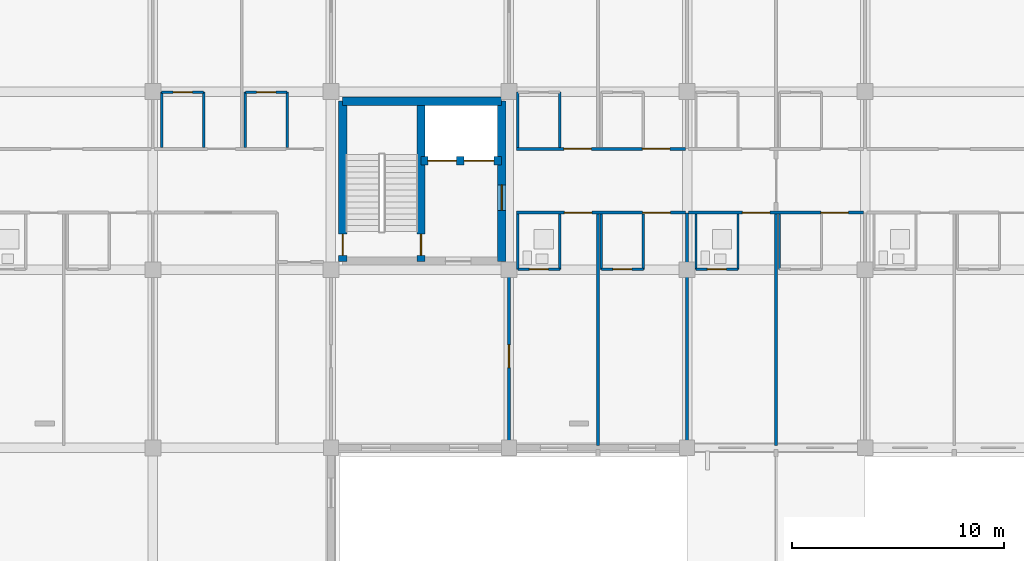
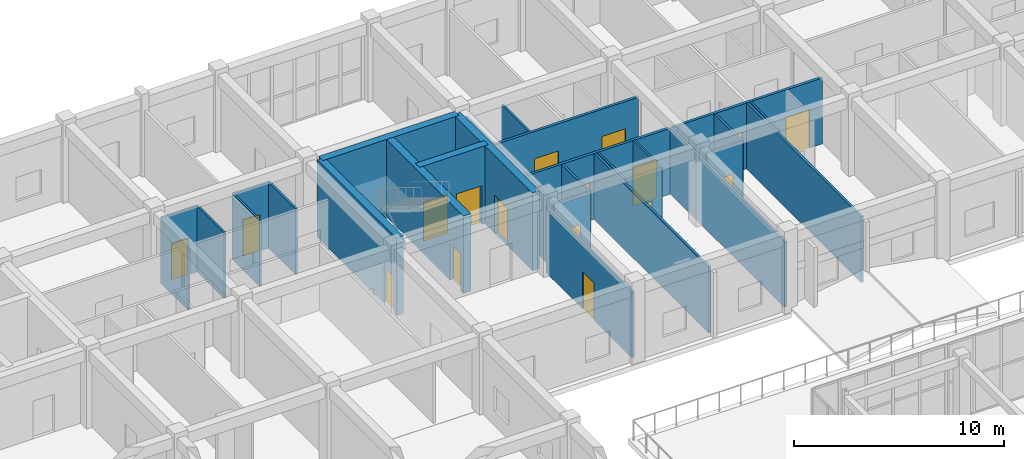
# One storey, part 128 of 158: 30 walls, 17 doors, 17 openings.
"""IFC4 building model written with IfcOpenShell, lengths in metres."""

from ifc_helpers import new_model, si_unit, direction, frame, frame_2d, origin, place, context, subcontext, project, spatial, rectangle, extrude, material, layer, layer_set, type_object, element, fill, save


model = new_model("IFC4")

# Units and contexts
model_context = context("Model", 3, precision=1e-05, world=origin(), true_north=direction((0.0, 1.0)))
body_context = subcontext(model_context, "Body", "Model", "MODEL_VIEW")
ifc_project = project(units=[si_unit("LENGTHUNIT", "METRE"), si_unit("AREAUNIT", "SQUARE_METRE"), si_unit("VOLUMEUNIT", "CUBIC_METRE"), si_unit("PLANEANGLEUNIT", "RADIAN"), si_unit("MASSUNIT", "GRAM", prefix="KILO")], contexts=[model_context])

# Site, building, storey
site_placement = place(None, origin())
site = spatial("IfcSite", under=ifc_project, at=site_placement, CompositionType="ELEMENT")
building_placement = place(site_placement, origin())
building = spatial("IfcBuilding", under=site, at=building_placement, Name="Trelvath General Hospital", CompositionType="ELEMENT")
storey_placement = place(building_placement, frame((0.0, 0.0, 8.10009765625)))
storey = spatial("IfcBuildingStorey", under=building, at=storey_placement, Name="L02", CompositionType="ELEMENT", Elevation=8.10009765625)

# Wall, openings, doors
ifc_material_1 = material(Name="Gypsum acoustic steel-stud partition", Category="steel")
ifc_layer_1 = layer(ifc_material_1, 0.14990234375)
ifc_layer_set_1 = layer_set([ifc_layer_1], Name="Gypsum acoustic steel-stud partition")
wall_type_1 = type_object("IfcWallType", Name="ClinicalPartition 150", PredefinedType="PARTITIONING", material=ifc_layer_set_1)
wall_1_placement = place(storey_placement, frame((50.760009765625, 103.5, 0.0), z_axis=(0.0, 0.0, 1.0), x_axis=(1.0, 0.0, 0.0)))
wall_1 = element("IfcWall", 1, at=wall_1_placement, inside=storey, type_object=wall_type_1, Name="Corridor Partition L02-885", PredefinedType="PARTITIONING", context=body_context, shape_type="SweptSolid", body=[
    extrude(rectangle(XDim=7.9599609375, YDim=0.14990234375, at=frame_2d((3.97998046875, 0.0))), origin(), (0.0, 0.0, 1.0), 3.83984375),
])
opening_1_placement = place(wall_1_placement, frame((2.25, 0.0, 0.0)))
opening_1 = element("IfcOpeningElement", 2, at=opening_1_placement, cuts=wall_1, Name="Opening D-2-0730", PredefinedType="OPENING", context=body_context, shape_type="SweptSolid", body=[
    extrude(rectangle(XDim=1.300048828125, YDim=2.25, at=frame_2d((0.64990234375, 1.125))), frame((0.0, 0.0849609375, 0.0), z_axis=(0.0, -1.0, 0.0), x_axis=(1.0, 0.0, 0.0)), (0.0, 0.0, 1.0), 0.169921875),
])
opening_2_placement = place(wall_1_placement, frame((5.949951171875, 0.0, 0.0)))
opening_2 = element("IfcOpeningElement", 3, at=opening_2_placement, cuts=wall_1, Name="Opening D-2-0731", PredefinedType="OPENING", context=body_context, shape_type="SweptSolid", body=[
    extrude(rectangle(XDim=1.300048828125, YDim=2.25, at=frame_2d((0.64990234375, 1.125))), frame((0.0, 0.0849609375, 0.0), z_axis=(0.0, -1.0, 0.0), x_axis=(1.0, 0.0, 0.0)), (0.0, 0.0, 1.0), 0.169921875),
])
ifc_material_2 = material(Name="Hospital bed-leaf timber door", Category="wood")
door_type_1 = type_object("IfcDoorType", Name="Door PatientBed 1300x2250", OperationType="NOTDEFINED", PredefinedType="DOOR", material=ifc_material_2)
door_1_placement = place(opening_1_placement, origin())
door_1 = element("IfcDoor", 4, at=door_1_placement, inside=storey, type_object=door_type_1, Name="Patient Room Door L02-730", OperationType="SINGLE_SWING_LEFT", OverallHeight=2.25, OverallWidth=1.300048828125, PredefinedType="DOOR", context=body_context, shape_type="SweptSolid", body=[
    extrude(rectangle(XDim=1.300048828125, YDim=2.25, at=frame_2d((0.64990234375, 1.125))), frame((0.0, 0.02490234375, 0.0), z_axis=(0.0, -1.0, 0.0), x_axis=(1.0, 0.0, 0.0)), (0.0, 0.0, 1.0), 0.050048828125),
])
fill(opening_1, door_1)
door_2_placement = place(opening_2_placement, origin())
door_2 = element("IfcDoor", 5, at=door_2_placement, inside=storey, type_object=door_type_1, Name="Patient Room Door L02-731", OperationType="SINGLE_SWING_RIGHT", OverallHeight=2.25, OverallWidth=1.300048828125, PredefinedType="DOOR", context=body_context, shape_type="SweptSolid", body=[
    extrude(rectangle(XDim=1.300048828125, YDim=2.25, at=frame_2d((0.64990234375, 1.125))), frame((0.0, 0.02490234375, 0.0), z_axis=(0.0, -1.0, 0.0), x_axis=(1.0, 0.0, 0.0)), (0.0, 0.0, 1.0), 0.050048828125),
])
fill(opening_2, door_2)

wall_2_placement = place(storey_placement, frame((58.719970703125, 106.5, 0.0), z_axis=(0.0, 0.0, 1.0), x_axis=(-1.0, 0.0, 0.0)))
wall_2 = element("IfcWall", 6, at=wall_2_placement, inside=storey, type_object=wall_type_1, Name="Corridor Partition N L02-894", PredefinedType="PARTITIONING", context=body_context, shape_type="SweptSolid", body=[
    extrude(rectangle(XDim=7.9599609375, YDim=0.14990234375, at=frame_2d((3.97998046875, 0.0))), origin(), (0.0, 0.0, 1.0), 3.83984375),
])
opening_3_placement = place(wall_2_placement, frame((0.72998046875, 0.0, 0.0)))
opening_3 = element("IfcOpeningElement", 7, at=opening_3_placement, cuts=wall_2, Name="Opening D-2-0734", PredefinedType="OPENING", context=body_context, shape_type="SweptSolid", body=[
    extrude(rectangle(XDim=1.300048828125, YDim=2.25, at=frame_2d((0.64990234375, 1.125))), frame((0.0, 0.0849609375, 0.0), z_axis=(0.0, -1.0, 0.0), x_axis=(1.0, 0.0, 0.0)), (0.0, 0.0, 1.0), 0.169921875),
])
opening_4_placement = place(wall_2_placement, frame((4.429931640625, 0.0, 0.0)))
opening_4 = element("IfcOpeningElement", 8, at=opening_4_placement, cuts=wall_2, Name="Opening D-2-0735", PredefinedType="OPENING", context=body_context, shape_type="SweptSolid", body=[
    extrude(rectangle(XDim=1.300048828125, YDim=2.25, at=frame_2d((0.64990234375, 1.125))), frame((0.0, 0.0849609375, 0.0), z_axis=(0.0, -1.0, 0.0), x_axis=(1.0, 0.0, 0.0)), (0.0, 0.0, 1.0), 0.169921875),
])
door_3_placement = place(opening_3_placement, origin())
door_3 = element("IfcDoor", 9, at=door_3_placement, inside=storey, type_object=door_type_1, Name="Patient Room Door N L02-734", OperationType="SINGLE_SWING_LEFT", OverallHeight=2.25, OverallWidth=1.300048828125, PredefinedType="DOOR", context=body_context, shape_type="SweptSolid", body=[
    extrude(rectangle(XDim=1.300048828125, YDim=2.25, at=frame_2d((0.64990234375, 1.125))), frame((0.0, 0.02490234375, 0.0), z_axis=(0.0, -1.0, 0.0), x_axis=(1.0, 0.0, 0.0)), (0.0, 0.0, 1.0), 0.050048828125),
])
fill(opening_3, door_3)
door_4_placement = place(opening_4_placement, origin())
door_4 = element("IfcDoor", 10, at=door_4_placement, inside=storey, type_object=door_type_1, Name="Patient Room Door N L02-735", OperationType="SINGLE_SWING_LEFT", OverallHeight=2.25, OverallWidth=1.300048828125, PredefinedType="DOOR", context=body_context, shape_type="SweptSolid", body=[
    extrude(rectangle(XDim=1.300048828125, YDim=2.25, at=frame_2d((0.64990234375, 1.125))), frame((0.0, 0.02490234375, 0.0), z_axis=(0.0, -1.0, 0.0), x_axis=(1.0, 0.0, 0.0)), (0.0, 0.0, 1.0), 0.050048828125),
])
fill(opening_4, door_4)

wall_3_placement = place(storey_placement, frame((58.8798828125, 103.5, 0.0), z_axis=(0.0, 0.0, 1.0), x_axis=(1.0, 0.0, 0.0)))
wall_3 = element("IfcWall", 11, at=wall_3_placement, inside=storey, type_object=wall_type_1, Name="Corridor Partition L02-904", PredefinedType="PARTITIONING", context=body_context, shape_type="SweptSolid", body=[
    extrude(rectangle(XDim=8.240234375, YDim=0.14990234375, at=frame_2d((4.1201171875, 0.0))), origin(), (0.0, 0.0, 1.0), 3.83984375),
])
opening_5_placement = place(wall_3_placement, frame((2.530029296875, 0.0, 0.0)))
opening_5 = element("IfcOpeningElement", 12, at=opening_5_placement, cuts=wall_3, Name="Opening D-2-0738", PredefinedType="OPENING", context=body_context, shape_type="SweptSolid", body=[
    extrude(rectangle(XDim=1.300048828125, YDim=2.25, at=frame_2d((0.64990234375, 1.125))), frame((0.0, 0.0849609375, 0.0), z_axis=(0.0, -1.0, 0.0), x_axis=(1.0, 0.0, 0.0)), (0.0, 0.0, 1.0), 0.169921875),
])
opening_6_placement = place(wall_3_placement, frame((6.22998046875, 0.0, 0.0)))
opening_6 = element("IfcOpeningElement", 13, at=opening_6_placement, cuts=wall_3, Name="Opening D-2-0739", PredefinedType="OPENING", context=body_context, shape_type="SweptSolid", body=[
    extrude(rectangle(XDim=1.300048828125, YDim=2.25, at=frame_2d((0.64990234375, 1.125))), frame((0.0, 0.0849609375, 0.0), z_axis=(0.0, -1.0, 0.0), x_axis=(1.0, 0.0, 0.0)), (0.0, 0.0, 1.0), 0.169921875),
])
door_5_placement = place(opening_5_placement, origin())
door_5 = element("IfcDoor", 14, at=door_5_placement, inside=storey, type_object=door_type_1, Name="Patient Room Door L02-738", OperationType="SINGLE_SWING_RIGHT", OverallHeight=2.25, OverallWidth=1.300048828125, PredefinedType="DOOR", context=body_context, shape_type="SweptSolid", body=[
    extrude(rectangle(XDim=1.300048828125, YDim=2.25, at=frame_2d((0.64990234375, 1.125))), frame((0.0, 0.02490234375, 0.0), z_axis=(0.0, -1.0, 0.0), x_axis=(1.0, 0.0, 0.0)), (0.0, 0.0, 1.0), 0.050048828125),
])
fill(opening_5, door_5)
door_6_placement = place(opening_6_placement, origin())
door_6 = element("IfcDoor", 15, at=door_6_placement, inside=storey, type_object=door_type_1, Name="Patient Room Door L02-739", OperationType="SINGLE_SWING_LEFT", OverallHeight=2.25, OverallWidth=1.300048828125, PredefinedType="DOOR", context=body_context, shape_type="SweptSolid", body=[
    extrude(rectangle(XDim=1.300048828125, YDim=2.25, at=frame_2d((0.64990234375, 1.125))), frame((0.0, 0.02490234375, 0.0), z_axis=(0.0, -1.0, 0.0), x_axis=(1.0, 0.0, 0.0)), (0.0, 0.0, 1.0), 0.050048828125),
])
fill(opening_6, door_6)

# Wall
ifc_material_3 = material(Name="Concrete C40/50", Category="concrete")
ifc_layer_2 = layer(ifc_material_3, 0.39990234375)
ifc_layer_set_2 = layer_set([ifc_layer_2], Name="Concrete C40/50")
wall_type_2 = type_object("IfcWallType", Name="CoreShearWall 400", PredefinedType="SHEAR", material=ifc_layer_set_2)
wall_4_placement = place(storey_placement, frame((42.550048828125, 108.75, 0.0), z_axis=(0.0, 0.0, 1.0), x_axis=(1.0, 0.0, 0.0)))
element("IfcWall", 16, at=wall_4_placement, inside=storey, type_object=wall_type_2, Name="Core Shear Wall C1 N L02", PredefinedType="SHEAR", context=body_context, shape_type="SweptSolid", body=[
    extrude(rectangle(XDim=7.5, YDim=0.39990234375, at=frame_2d((3.75, 0.0))), origin(), (0.0, 0.0, 1.0), 4.52001953125),
])

# Wall, opening, door
wall_5_placement = place(storey_placement, frame((42.550048828125, 101.199951171875, 0.0), z_axis=(0.0, 0.0, 1.0), x_axis=(0.0, 1.0, 0.0)))
wall_5 = element("IfcWall", 17, at=wall_5_placement, inside=storey, type_object=wall_type_2, Name="Core Shear Wall C1 W L02", PredefinedType="SHEAR", context=body_context, shape_type="SweptSolid", body=[
    extrude(rectangle(XDim=7.550048828125, YDim=0.39990234375, at=frame_2d((3.77490234375, 0.0))), origin(), (0.0, 0.0, 1.0), 4.52001953125),
])
opening_7_placement = place(wall_5_placement, frame((0.280029296875, 0.0, 0.0)))
opening_7 = element("IfcOpeningElement", 18, at=opening_7_placement, cuts=wall_5, Name="Opening FD-SW12", PredefinedType="OPENING", context=body_context, shape_type="SweptSolid", body=[
    extrude(rectangle(XDim=1.0, YDim=2.14990234375, at=frame_2d((0.5, 1.074951171875))), frame((0.0, 0.2099609375, 0.0), z_axis=(0.0, -1.0, 0.0), x_axis=(1.0, 0.0, 0.0)), (0.0, 0.0, 1.0), 0.419921875),
])
ifc_material_4 = material(Name="Fire-rated steel door", Category="steel")
door_type_2 = type_object("IfcDoorType", Name="Door FireStair 1100x2150", OperationType="NOTDEFINED", PredefinedType="DOOR", material=ifc_material_4)
door_7_placement = place(opening_7_placement, origin())
door_7 = element("IfcDoor", 19, at=door_7_placement, inside=storey, type_object=door_type_2, Name="West Corridor Stair Door ST1 L02", OperationType="SINGLE_SWING_LEFT", OverallHeight=2.14990234375, OverallWidth=1.0, PredefinedType="DOOR", context=body_context, shape_type="SweptSolid", body=[
    extrude(rectangle(XDim=1.0, YDim=2.14990234375, at=frame_2d((0.5, 1.074951171875))), frame((0.0, 0.02490234375, 0.0), z_axis=(0.0, -1.0, 0.0), x_axis=(1.0, 0.0, 0.0)), (0.0, 0.0, 1.0), 0.050048828125),
])
fill(opening_7, door_7)

wall_6_placement = place(storey_placement, frame((50.050048828125, 101.199951171875, 0.0), z_axis=(0.0, 0.0, 1.0), x_axis=(0.0, 1.0, 0.0)))
wall_6 = element("IfcWall", 20, at=wall_6_placement, inside=storey, type_object=wall_type_2, Name="Core Shear Wall C1 E L02", PredefinedType="SHEAR", context=body_context, shape_type="SweptSolid", body=[
    extrude(rectangle(XDim=7.550048828125, YDim=0.39990234375, at=frame_2d((3.77490234375, 0.0))), origin(), (0.0, 0.0, 1.0), 4.52001953125),
])
opening_8_placement = place(wall_6_placement, frame((2.39990234375, 0.0, 0.0)))
opening_8 = element("IfcOpeningElement", 21, at=opening_8_placement, cuts=wall_6, Name="Opening FD-LE12", PredefinedType="OPENING", context=body_context, shape_type="SweptSolid", body=[
    extrude(rectangle(XDim=1.199951171875, YDim=2.199951171875, at=frame_2d((0.60009765625, 1.10009765625))), frame((0.0, 0.2099609375, 0.0), z_axis=(0.0, -1.0, 0.0), x_axis=(1.0, 0.0, 0.0)), (0.0, 0.0, 1.0), 0.419921875),
])
ifc_material_5 = material(Name="Fire-rated steel door", Category="steel")
door_type_3 = type_object("IfcDoorType", Name="Door FireLobby 1200x2200", OperationType="NOTDEFINED", PredefinedType="DOOR", material=ifc_material_5)
door_8_placement = place(opening_8_placement, origin())
door_8 = element("IfcDoor", 22, at=door_8_placement, inside=storey, type_object=door_type_3, Name="Fire Lobby East Corridor Door C1 L02", OperationType="SINGLE_SWING_LEFT", OverallHeight=2.199951171875, OverallWidth=1.199951171875, PredefinedType="DOOR", context=body_context, shape_type="SweptSolid", body=[
    extrude(rectangle(XDim=1.199951171875, YDim=2.199951171875, at=frame_2d((0.60009765625, 1.10009765625))), frame((0.0, 0.02490234375, 0.0), z_axis=(0.0, -1.0, 0.0), x_axis=(1.0, 0.0, 0.0)), (0.0, 0.0, 1.0), 0.050048828125),
])
fill(opening_8, door_8)

wall_7_placement = place(storey_placement, frame((46.25, 101.199951171875, 0.0), z_axis=(0.0, 0.0, 1.0), x_axis=(0.0, 1.0, 0.0)))
wall_7 = element("IfcWall", 23, at=wall_7_placement, inside=storey, type_object=wall_type_2, Name="Core Shear Wall C1 SPINE L02", PredefinedType="SHEAR", context=body_context, shape_type="SweptSolid", body=[
    extrude(rectangle(XDim=7.550048828125, YDim=0.39990234375, at=frame_2d((3.77490234375, 0.0))), origin(), (0.0, 0.0, 1.0), 4.52001953125),
])
opening_9_placement = place(wall_7_placement, frame((0.280029296875, 0.0, 0.0)))
opening_9 = element("IfcOpeningElement", 24, at=opening_9_placement, cuts=wall_7, Name="Opening FD-S12", PredefinedType="OPENING", context=body_context, shape_type="SweptSolid", body=[
    extrude(rectangle(XDim=1.0, YDim=2.14990234375, at=frame_2d((0.5, 1.074951171875))), frame((0.0, 0.2099609375, 0.0), z_axis=(0.0, -1.0, 0.0), x_axis=(1.0, 0.0, 0.0)), (0.0, 0.0, 1.0), 0.419921875),
])
door_9_placement = place(opening_9_placement, origin())
door_9 = element("IfcDoor", 25, at=door_9_placement, inside=storey, type_object=door_type_2, Name="Exit Stair Door ST1 L02", OperationType="SINGLE_SWING_RIGHT", OverallHeight=2.14990234375, OverallWidth=1.0, PredefinedType="DOOR", context=body_context, shape_type="SweptSolid", body=[
    extrude(rectangle(XDim=1.0, YDim=2.14990234375, at=frame_2d((0.5, 1.074951171875))), frame((0.0, 0.02490234375, 0.0), z_axis=(0.0, -1.0, 0.0), x_axis=(1.0, 0.0, 0.0)), (0.0, 0.0, 1.0), 0.050048828125),
])
fill(opening_9, door_9)

# Wall, openings, doors
wall_8_placement = place(storey_placement, frame((46.25, 105.949951171875, 0.0), z_axis=(0.0, 0.0, 1.0), x_axis=(1.0, 0.0, 0.0)))
wall_8 = element("IfcWall", 26, at=wall_8_placement, inside=storey, type_object=wall_type_2, Name="Core Shear Wall C1 SHAFT L02", PredefinedType="SHEAR", context=body_context, shape_type="SweptSolid", body=[
    extrude(rectangle(XDim=3.800048828125, YDim=0.39990234375, at=frame_2d((1.89990234375, 0.0))), origin(), (0.0, 0.0, 1.0), 4.52001953125),
])
opening_10_placement = place(wall_8_placement, frame((0.320068359375, 0.0, 0.0)))
opening_10 = element("IfcOpeningElement", 27, at=opening_10_placement, cuts=wall_8, Name="Opening LD-FF1-2", PredefinedType="OPENING", context=body_context, shape_type="SweptSolid", body=[
    extrude(rectangle(XDim=1.35009765625, YDim=2.25, at=frame_2d((0.675048828125, 1.125))), frame((0.0, 0.2099609375, 0.0), z_axis=(0.0, -1.0, 0.0), x_axis=(1.0, 0.0, 0.0)), (0.0, 0.0, 1.0), 0.419921875),
])
opening_11_placement = place(wall_8_placement, frame((2.0400390625, 0.0, 0.0)))
opening_11 = element("IfcOpeningElement", 28, at=opening_11_placement, cuts=wall_8, Name="Opening LD-BD1-2", PredefinedType="OPENING", context=body_context, shape_type="SweptSolid", body=[
    extrude(rectangle(XDim=1.39990234375, YDim=2.25, at=frame_2d((0.699951171875, 1.125))), frame((0.0, 0.2099609375, 0.0), z_axis=(0.0, -1.0, 0.0), x_axis=(1.0, 0.0, 0.0)), (0.0, 0.0, 1.0), 0.419921875),
])
ifc_material_6 = material(Name="Stainless steel stretcher lift landing door", Category="steel")
door_type_4 = type_object("IfcDoorType", Name="Door LiftBed 1400x2250", OperationType="SLIDING_TO_LEFT", PredefinedType="DOOR", material=ifc_material_6)
door_10_placement = place(opening_11_placement, origin())
door_10 = element("IfcDoor", 29, at=door_10_placement, inside=storey, type_object=door_type_4, Name="Lift Landing Sliding Door LF-BD1 L02", OperationType="SLIDING_TO_LEFT", OverallHeight=2.25, OverallWidth=1.39990234375, PredefinedType="DOOR", context=body_context, shape_type="SweptSolid", body=[
    extrude(rectangle(XDim=1.39990234375, YDim=2.25, at=frame_2d((0.699951171875, 1.125))), frame((0.0, 0.02490234375, 0.0), z_axis=(0.0, -1.0, 0.0), x_axis=(1.0, 0.0, 0.0)), (0.0, 0.0, 1.0), 0.050048828125),
])
fill(opening_11, door_10)
ifc_material_7 = material(Name="Fire-rated stainless lift landing door")
door_type_5 = type_object("IfcDoorType", Name="Door LiftFire 1350x2250", OperationType="SLIDING_TO_LEFT", PredefinedType="DOOR", material=ifc_material_7)
door_11_placement = place(opening_10_placement, origin())
door_11 = element("IfcDoor", 30, at=door_11_placement, inside=storey, type_object=door_type_5, Name="Lift Landing Sliding Door LF-FF1 L02", OperationType="SLIDING_TO_LEFT", OverallHeight=2.25, OverallWidth=1.35009765625, PredefinedType="DOOR", context=body_context, shape_type="SweptSolid", body=[
    extrude(rectangle(XDim=1.35009765625, YDim=2.25, at=frame_2d((0.675048828125, 1.125))), frame((0.0, 0.02490234375, 0.0), z_axis=(0.0, -1.0, 0.0), x_axis=(1.0, 0.0, 0.0)), (0.0, 0.0, 1.0), 0.050048828125),
])
fill(opening_10, door_11)

# Walls
ifc_material_8 = material(Name="Moisture-resistant tile partition")
ifc_layer_3 = layer(ifc_material_8, 0.110107421875)
ifc_layer_set_3 = layer_set([ifc_layer_3], Name="Moisture-resistant tile partition")
wall_type_3 = type_object("IfcWallType", Name="EnSuiteWetWall 110", PredefinedType="PARTITIONING", material=ifc_layer_set_3)
for number, where, z_axis, x_axis, name in (
    (31, (34.02001953125, 106.570068359375, 0.0), (0.0, 0.0, 1.0), (0.0, 1.0, 0.0), "En-Suite W Wall N L02-875"),
    (32, (36.0, 106.570068359375, 0.0), (0.0, 0.0, 1.0), (0.0, 1.0, 0.0), "En-Suite E Wall N L02-876"),
):
    element("IfcWall", number, at=place(storey_placement, frame(where, z_axis=z_axis, x_axis=x_axis)), inside=storey, type_object=wall_type_3, Name=name, PredefinedType="PARTITIONING", context=body_context, shape_type="SweptSolid", body=[
        extrude(rectangle(XDim=2.60986328125, YDim=0.110107421875, at=frame_2d((1.304931640625, 0.0))), origin(), (0.0, 0.0, 1.0), 3.83984375),
    ])

# Wall, opening, door
wall_9_placement = place(storey_placement, frame((34.02001953125, 109.179931640625, 0.0), z_axis=(0.0, 0.0, 1.0), x_axis=(1.0, 0.0, 0.0)))
wall_9 = element("IfcWall", 33, at=wall_9_placement, inside=storey, type_object=wall_type_3, Name="En-Suite Bathroom N Partition L02-877", PredefinedType="PARTITIONING", context=body_context, shape_type="SweptSolid", body=[
    extrude(rectangle(XDim=1.97998046875, YDim=0.110107421875, at=frame_2d((0.989990234375, 0.0))), origin(), (0.0, 0.0, 1.0), 3.83984375),
])
opening_12_placement = place(wall_9_placement, frame((0.5400390625, 0.0, 0.0)))
opening_12 = element("IfcOpeningElement", 34, at=opening_12_placement, cuts=wall_9, Name="Opening D-2-0724", PredefinedType="OPENING", context=body_context, shape_type="SweptSolid", body=[
    extrude(rectangle(XDim=0.89990234375, YDim=2.10009765625, at=frame_2d((0.449951171875, 1.050048828125))), frame((0.0, 0.06494140625, 0.0), z_axis=(0.0, -1.0, 0.0), x_axis=(1.0, 0.0, 0.0)), (0.0, 0.0, 1.0), 0.130126953125),
])
ifc_material_9 = material(Name="Moisture-sealed timber leaf", Category="wood")
door_type_6 = type_object("IfcDoorType", Name="Door EnSuite 900x2100", OperationType="NOTDEFINED", PredefinedType="DOOR", material=ifc_material_9)
door_12_placement = place(opening_12_placement, origin())
door_12 = element("IfcDoor", 35, at=door_12_placement, inside=storey, type_object=door_type_6, Name="En-Suite Bathroom N Door L02-724", OperationType="SINGLE_SWING_LEFT", OverallHeight=2.10009765625, OverallWidth=0.89990234375, PredefinedType="DOOR", context=body_context, shape_type="SweptSolid", body=[
    extrude(rectangle(XDim=0.89990234375, YDim=2.10009765625, at=frame_2d((0.449951171875, 1.050048828125))), frame((0.0, 0.02490234375, 0.0), z_axis=(0.0, -1.0, 0.0), x_axis=(1.0, 0.0, 0.0)), (0.0, 0.0, 1.0), 0.050048828125),
])
fill(opening_12, door_12)

# Walls
for number, where, z_axis, x_axis, name in (
    (36, (37.9599609375, 106.570068359375, 0.0), (0.0, 0.0, 1.0), (0.0, 1.0, 0.0), "En-Suite W Wall N L02-878"),
    (37, (39.93994140625, 106.570068359375, 0.0), (0.0, 0.0, 1.0), (0.0, 1.0, 0.0), "En-Suite E Wall N L02-879"),
):
    element("IfcWall", number, at=place(storey_placement, frame(where, z_axis=z_axis, x_axis=x_axis)), inside=storey, type_object=wall_type_3, Name=name, PredefinedType="PARTITIONING", context=body_context, shape_type="SweptSolid", body=[
        extrude(rectangle(XDim=2.60986328125, YDim=0.110107421875, at=frame_2d((1.304931640625, 0.0))), origin(), (0.0, 0.0, 1.0), 3.83984375),
    ])

# Wall, opening, door
wall_10_placement = place(storey_placement, frame((37.9599609375, 109.179931640625, 0.0), z_axis=(0.0, 0.0, 1.0), x_axis=(1.0, 0.0, 0.0)))
wall_10 = element("IfcWall", 38, at=wall_10_placement, inside=storey, type_object=wall_type_3, Name="En-Suite Bathroom N Partition L02-880", PredefinedType="PARTITIONING", context=body_context, shape_type="SweptSolid", body=[
    extrude(rectangle(XDim=1.97998046875, YDim=0.110107421875, at=frame_2d((0.989990234375, 0.0))), origin(), (0.0, 0.0, 1.0), 3.83984375),
])
opening_13_placement = place(wall_10_placement, frame((0.5400390625, 0.0, 0.0)))
opening_13 = element("IfcOpeningElement", 39, at=opening_13_placement, cuts=wall_10, Name="Opening D-2-0725", PredefinedType="OPENING", context=body_context, shape_type="SweptSolid", body=[
    extrude(rectangle(XDim=0.89990234375, YDim=2.10009765625, at=frame_2d((0.449951171875, 1.050048828125))), frame((0.0, 0.06494140625, 0.0), z_axis=(0.0, -1.0, 0.0), x_axis=(1.0, 0.0, 0.0)), (0.0, 0.0, 1.0), 0.130126953125),
])
door_13_placement = place(opening_13_placement, origin())
door_13 = element("IfcDoor", 40, at=door_13_placement, inside=storey, type_object=door_type_6, Name="En-Suite Bathroom N Door L02-725", OperationType="SINGLE_SWING_RIGHT", OverallHeight=2.10009765625, OverallWidth=0.89990234375, PredefinedType="DOOR", context=body_context, shape_type="SweptSolid", body=[
    extrude(rectangle(XDim=0.89990234375, YDim=2.10009765625, at=frame_2d((0.449951171875, 1.050048828125))), frame((0.0, 0.02490234375, 0.0), z_axis=(0.0, -1.0, 0.0), x_axis=(1.0, 0.0, 0.0)), (0.0, 0.0, 1.0), 0.050048828125),
])
fill(opening_13, door_13)

# Walls
for number, where, z_axis, x_axis, name in (
    (41, (50.820068359375, 100.820068359375, 0.0), (0.0, 0.0, 1.0), (0.0, 1.0, 0.0), "En-Suite W Wall L02-887"),
    (42, (52.800048828125, 100.820068359375, 0.0), (0.0, 0.0, 1.0), (0.0, 1.0, 0.0), "En-Suite E Wall L02-888"),
):
    element("IfcWall", number, at=place(storey_placement, frame(where, z_axis=z_axis, x_axis=x_axis)), inside=storey, type_object=wall_type_3, Name=name, PredefinedType="PARTITIONING", context=body_context, shape_type="SweptSolid", body=[
        extrude(rectangle(XDim=2.60986328125, YDim=0.110107421875, at=frame_2d((1.304931640625, 0.0))), origin(), (0.0, 0.0, 1.0), 3.83984375),
    ])

# Wall, opening, door
wall_11_placement = place(storey_placement, frame((50.820068359375, 100.820068359375, 0.0), z_axis=(0.0, 0.0, 1.0), x_axis=(1.0, 0.0, 0.0)))
wall_11 = element("IfcWall", 43, at=wall_11_placement, inside=storey, type_object=wall_type_3, Name="En-Suite Bathroom Partition L02-889", PredefinedType="PARTITIONING", context=body_context, shape_type="SweptSolid", body=[
    extrude(rectangle(XDim=1.97998046875, YDim=0.110107421875, at=frame_2d((0.989990234375, 0.0))), origin(), (0.0, 0.0, 1.0), 3.83984375),
])
opening_14_placement = place(wall_11_placement, frame((0.5400390625, 0.0, 0.0)))
opening_14 = element("IfcOpeningElement", 44, at=opening_14_placement, cuts=wall_11, Name="Opening D-2-0732", PredefinedType="OPENING", context=body_context, shape_type="SweptSolid", body=[
    extrude(rectangle(XDim=0.89990234375, YDim=2.10009765625, at=frame_2d((0.449951171875, 1.050048828125))), frame((0.0, 0.06494140625, 0.0), z_axis=(0.0, -1.0, 0.0), x_axis=(1.0, 0.0, 0.0)), (0.0, 0.0, 1.0), 0.130126953125),
])
door_14_placement = place(opening_14_placement, origin())
door_14 = element("IfcDoor", 45, at=door_14_placement, inside=storey, type_object=door_type_6, Name="En-Suite Bathroom Door L02-732", OperationType="SINGLE_SWING_LEFT", OverallHeight=2.10009765625, OverallWidth=0.89990234375, PredefinedType="DOOR", context=body_context, shape_type="SweptSolid", body=[
    extrude(rectangle(XDim=0.89990234375, YDim=2.10009765625, at=frame_2d((0.449951171875, 1.050048828125))), frame((0.0, 0.02490234375, 0.0), z_axis=(0.0, -1.0, 0.0), x_axis=(1.0, 0.0, 0.0)), (0.0, 0.0, 1.0), 0.050048828125),
])
fill(opening_14, door_14)

# Walls
for number, where, z_axis, x_axis, name in (
    (46, (54.760009765625, 100.820068359375, 0.0), (0.0, 0.0, 1.0), (0.0, 1.0, 0.0), "En-Suite W Wall L02-890"),
    (47, (56.739990234375, 100.820068359375, 0.0), (0.0, 0.0, 1.0), (0.0, 1.0, 0.0), "En-Suite E Wall L02-891"),
):
    element("IfcWall", number, at=place(storey_placement, frame(where, z_axis=z_axis, x_axis=x_axis)), inside=storey, type_object=wall_type_3, Name=name, PredefinedType="PARTITIONING", context=body_context, shape_type="SweptSolid", body=[
        extrude(rectangle(XDim=2.60986328125, YDim=0.110107421875, at=frame_2d((1.304931640625, 0.0))), origin(), (0.0, 0.0, 1.0), 3.83984375),
    ])

# Wall, opening, door
wall_12_placement = place(storey_placement, frame((54.760009765625, 100.820068359375, 0.0), z_axis=(0.0, 0.0, 1.0), x_axis=(1.0, 0.0, 0.0)))
wall_12 = element("IfcWall", 48, at=wall_12_placement, inside=storey, type_object=wall_type_3, Name="En-Suite Bathroom Partition L02-892", PredefinedType="PARTITIONING", context=body_context, shape_type="SweptSolid", body=[
    extrude(rectangle(XDim=1.97998046875, YDim=0.110107421875, at=frame_2d((0.989990234375, 0.0))), origin(), (0.0, 0.0, 1.0), 3.83984375),
])
opening_15_placement = place(wall_12_placement, frame((0.5400390625, 0.0, 0.0)))
opening_15 = element("IfcOpeningElement", 49, at=opening_15_placement, cuts=wall_12, Name="Opening D-2-0733", PredefinedType="OPENING", context=body_context, shape_type="SweptSolid", body=[
    extrude(rectangle(XDim=0.89990234375, YDim=2.10009765625, at=frame_2d((0.449951171875, 1.050048828125))), frame((0.0, 0.06494140625, 0.0), z_axis=(0.0, -1.0, 0.0), x_axis=(1.0, 0.0, 0.0)), (0.0, 0.0, 1.0), 0.130126953125),
])
door_15_placement = place(opening_15_placement, origin())
door_15 = element("IfcDoor", 50, at=door_15_placement, inside=storey, type_object=door_type_6, Name="En-Suite Bathroom Door L02-733", OperationType="SINGLE_SWING_RIGHT", OverallHeight=2.10009765625, OverallWidth=0.89990234375, PredefinedType="DOOR", context=body_context, shape_type="SweptSolid", body=[
    extrude(rectangle(XDim=0.89990234375, YDim=2.10009765625, at=frame_2d((0.449951171875, 1.050048828125))), frame((0.0, 0.02490234375, 0.0), z_axis=(0.0, -1.0, 0.0), x_axis=(1.0, 0.0, 0.0)), (0.0, 0.0, 1.0), 0.050048828125),
])
fill(opening_15, door_15)

# Walls
for number, where, z_axis, x_axis, name in (
    (51, (50.820068359375, 106.570068359375, 0.0), (0.0, 0.0, 1.0), (0.0, 1.0, 0.0), "En-Suite W Wall N L02-896"),
    (52, (52.800048828125, 106.570068359375, 0.0), (0.0, 0.0, 1.0), (0.0, 1.0, 0.0), "En-Suite E Wall N L02-897"),
    (53, (59.219970703125, 100.820068359375, 0.0), (0.0, 0.0, 1.0), (0.0, 1.0, 0.0), "En-Suite W Wall L02-906"),
    (54, (61.199951171875, 100.820068359375, 0.0), (0.0, 0.0, 1.0), (0.0, 1.0, 0.0), "En-Suite E Wall L02-907"),
):
    element("IfcWall", number, at=place(storey_placement, frame(where, z_axis=z_axis, x_axis=x_axis)), inside=storey, type_object=wall_type_3, Name=name, PredefinedType="PARTITIONING", context=body_context, shape_type="SweptSolid", body=[
        extrude(rectangle(XDim=2.60986328125, YDim=0.110107421875, at=frame_2d((1.304931640625, 0.0))), origin(), (0.0, 0.0, 1.0), 3.83984375),
    ])

# Wall, opening, door
wall_13_placement = place(storey_placement, frame((59.219970703125, 100.820068359375, 0.0), z_axis=(0.0, 0.0, 1.0), x_axis=(1.0, 0.0, 0.0)))
wall_13 = element("IfcWall", 55, at=wall_13_placement, inside=storey, type_object=wall_type_3, Name="En-Suite Bathroom Partition L02-908", PredefinedType="PARTITIONING", context=body_context, shape_type="SweptSolid", body=[
    extrude(rectangle(XDim=1.97998046875, YDim=0.110107421875, at=frame_2d((0.989990234375, 0.0))), origin(), (0.0, 0.0, 1.0), 3.83984375),
])
opening_16_placement = place(wall_13_placement, frame((0.5400390625, 0.0, 0.0)))
opening_16 = element("IfcOpeningElement", 56, at=opening_16_placement, cuts=wall_13, Name="Opening D-2-0740", PredefinedType="OPENING", context=body_context, shape_type="SweptSolid", body=[
    extrude(rectangle(XDim=0.89990234375, YDim=2.10009765625, at=frame_2d((0.449951171875, 1.050048828125))), frame((0.0, 0.06494140625, 0.0), z_axis=(0.0, -1.0, 0.0), x_axis=(1.0, 0.0, 0.0)), (0.0, 0.0, 1.0), 0.130126953125),
])
door_16_placement = place(opening_16_placement, origin())
door_16 = element("IfcDoor", 57, at=door_16_placement, inside=storey, type_object=door_type_6, Name="En-Suite Bathroom Door L02-740", OperationType="SINGLE_SWING_RIGHT", OverallHeight=2.10009765625, OverallWidth=0.89990234375, PredefinedType="DOOR", context=body_context, shape_type="SweptSolid", body=[
    extrude(rectangle(XDim=0.89990234375, YDim=2.10009765625, at=frame_2d((0.449951171875, 1.050048828125))), frame((0.0, 0.02490234375, 0.0), z_axis=(0.0, -1.0, 0.0), x_axis=(1.0, 0.0, 0.0)), (0.0, 0.0, 1.0), 0.050048828125),
])
fill(opening_16, door_16)

# Wall
wall_14_placement = place(storey_placement, frame((63.159912109375, 100.820068359375, 0.0), z_axis=(0.0, 0.0, 1.0), x_axis=(0.0, 1.0, 0.0)))
element("IfcWall", 58, at=wall_14_placement, inside=storey, type_object=wall_type_3, Name="En-Suite W Wall L02-909", PredefinedType="PARTITIONING", context=body_context, shape_type="SweptSolid", body=[
    extrude(rectangle(XDim=2.60986328125, YDim=0.110107421875, at=frame_2d((1.304931640625, 0.0))), origin(), (0.0, 0.0, 1.0), 3.83984375),
])

# Wall, opening, door
ifc_material_10 = material(Name="Gypsum acoustic steel-stud partition", Category="steel")
ifc_layer_4 = layer(ifc_material_10, 0.1298828125)
ifc_layer_set_4 = layer_set([ifc_layer_4], Name="Gypsum acoustic steel-stud partition")
wall_type_4 = type_object("IfcWallType", Name="WardPartition 130", PredefinedType="PARTITIONING", material=ifc_layer_set_4)
wall_15_placement = place(storey_placement, frame((50.39990234375, 92.5400390625, 0.0), z_axis=(0.0, 0.0, 1.0), x_axis=(0.0, 1.0, 0.0)))
wall_15 = element("IfcWall", 59, at=wall_15_placement, inside=storey, type_object=wall_type_4, Name="Inter-Bay Ward Partition S L02-883", PredefinedType="PARTITIONING", context=body_context, shape_type="SweptSolid", body=[
    extrude(rectangle(XDim=8.2099609375, YDim=0.1298828125, at=frame_2d((4.10498046875, 0.0))), origin(), (0.0, 0.0, 1.0), 3.83984375),
])
opening_17_placement = place(wall_15_placement, frame((3.639892578125, 0.0, 0.0)))
opening_17 = element("IfcOpeningElement", 60, at=opening_17_placement, cuts=wall_15, Name="Opening D-2-0728", PredefinedType="OPENING", context=body_context, shape_type="SweptSolid", body=[
    extrude(rectangle(XDim=1.080078125, YDim=2.14990234375, at=frame_2d((0.5400390625, 1.074951171875))), frame((0.0, 0.074951171875, 0.0), z_axis=(0.0, -1.0, 0.0), x_axis=(1.0, 0.0, 0.0)), (0.0, 0.0, 1.0), 0.14990234375),
])
ifc_material_11 = material(Name="Acoustic hospital timber leaf", Category="wood")
door_type_7 = type_object("IfcDoorType", Name="Door CleanSupply 1080x2150", OperationType="NOTDEFINED", PredefinedType="DOOR", material=ifc_material_11)
door_17_placement = place(opening_17_placement, origin())
door_17 = element("IfcDoor", 61, at=door_17_placement, inside=storey, type_object=door_type_7, Name="Clean Supply Connecting Door L02-728", OperationType="SINGLE_SWING_LEFT", OverallHeight=2.14990234375, OverallWidth=1.080078125, PredefinedType="DOOR", context=body_context, shape_type="SweptSolid", body=[
    extrude(rectangle(XDim=1.080078125, YDim=2.14990234375, at=frame_2d((0.5400390625, 1.074951171875))), frame((0.0, 0.02490234375, 0.0), z_axis=(0.0, -1.0, 0.0), x_axis=(1.0, 0.0, 0.0)), (0.0, 0.0, 1.0), 0.050048828125),
])
fill(opening_17, door_17)

# Walls
wall_16_placement = place(storey_placement, frame((54.60009765625, 92.5, 0.0), z_axis=(0.0, 0.0, 1.0), x_axis=(0.0, 1.0, 0.0)))
element("IfcWall", 62, at=wall_16_placement, inside=storey, type_object=wall_type_4, Name="Room Dividing Partition S L02-886", PredefinedType="PARTITIONING", context=body_context, shape_type="SweptSolid", body=[
    extrude(rectangle(XDim=10.929931640625, YDim=0.1298828125, at=frame_2d((5.46484375, 0.0))), origin(), (0.0, 0.0, 1.0), 3.83984375),
])
wall_17_placement = place(storey_placement, frame((58.800048828125, 92.5400390625, 0.0), z_axis=(0.0, 0.0, 1.0), x_axis=(0.0, 1.0, 0.0)))
element("IfcWall", 63, at=wall_17_placement, inside=storey, type_object=wall_type_4, Name="Inter-Bay Ward Partition S L02-902", PredefinedType="PARTITIONING", context=body_context, shape_type="SweptSolid", body=[
    extrude(rectangle(XDim=10.93994140625, YDim=0.1298828125, at=frame_2d((5.469970703125, 0.0))), origin(), (0.0, 0.0, 1.0), 3.83984375),
])
wall_18_placement = place(storey_placement, frame((63.0, 92.5, 0.0), z_axis=(0.0, 0.0, 1.0), x_axis=(0.0, 1.0, 0.0)))
element("IfcWall", 64, at=wall_18_placement, inside=storey, type_object=wall_type_4, Name="Room Dividing Partition S L02-905", PredefinedType="PARTITIONING", context=body_context, shape_type="SweptSolid", body=[
    extrude(rectangle(XDim=10.929931640625, YDim=0.1298828125, at=frame_2d((5.46484375, 0.0))), origin(), (0.0, 0.0, 1.0), 3.83984375),
])

save(model, "model.ifc")
